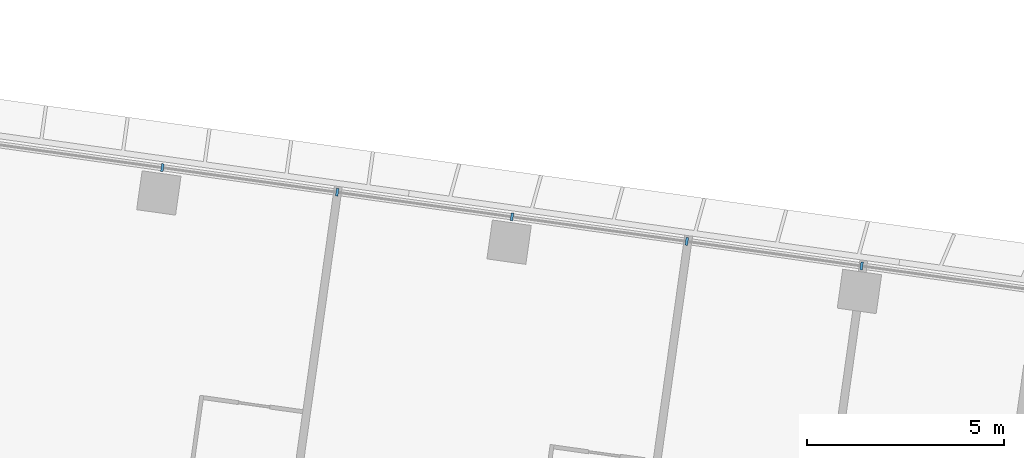
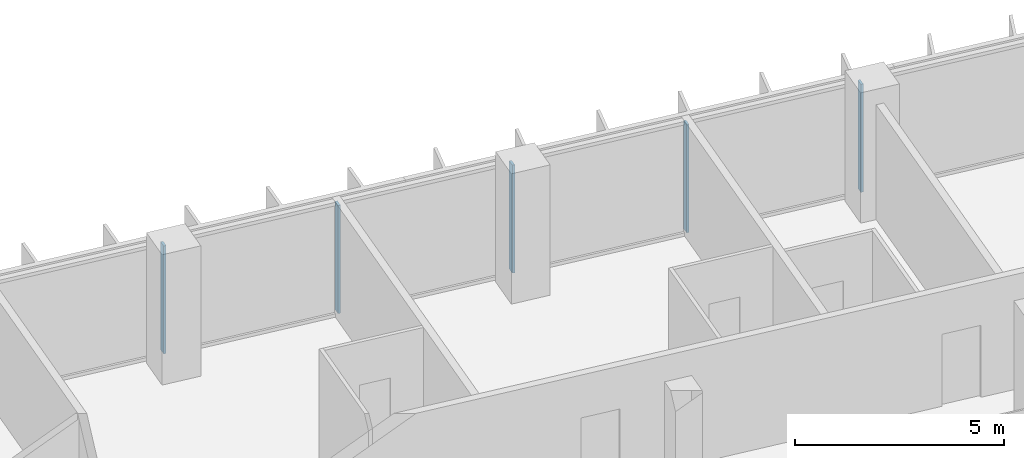
# One storey, part 5 of 25: 5 members, 1 element without a shape of its own.
"""IFC4 building model written with IfcOpenShell, lengths in metres."""

from ifc_helpers import new_model, si_unit, direction, frame, origin, origin_2d, place, context, subcontext, project, spatial, rectangle, extrude, material, material_profile, profile_set, type_object, element, aggregate, save


model = new_model("IFC4")

# Units and contexts
model_context = context("Model", 3, precision=1e-05, world=origin(), true_north=direction((0.0, 1.0)))
body_context = subcontext(model_context, "Body", "Model", "MODEL_VIEW")
ifc_project = project(units=[si_unit("LENGTHUNIT", "METRE"), si_unit("AREAUNIT", "SQUARE_METRE"), si_unit("VOLUMEUNIT", "CUBIC_METRE"), si_unit("PLANEANGLEUNIT", "RADIAN"), si_unit("MASSUNIT", "GRAM", prefix="KILO")], contexts=[model_context])

# Site, building, storey
site_placement = place(None, origin())
site = spatial("IfcSite", under=ifc_project, at=site_placement, CompositionType="ELEMENT")
building_placement = place(site_placement, origin())
building = spatial("IfcBuilding", under=site, at=building_placement, Name="Mirante Cascada Hotel Towers", CompositionType="ELEMENT")
storey_placement = place(building_placement, frame((0.0, 0.0, 69.9)))
storey = spatial("IfcBuildingStorey", under=building, at=storey_placement, Name="L14", CompositionType="ELEMENT", Elevation=69.9)

# Curtain wall, members
ifc_material_1 = material(Name="Aluminium mullion and transom frame with clear laminated glass", Category="aluminium")
curtain_wall_type = type_object("IfcCurtainWallType", Name="Ribbon curtain wall ECW1", PredefinedType="NOTDEFINED", material=ifc_material_1)
curtain_wall_placement = place(storey_placement, origin())
curtain_wall = element("IfcCurtainWall", 1, at=curtain_wall_placement, inside=storey, type_object=curtain_wall_type, Name="Front ribbon wall T1 L14", PredefinedType="NOTDEFINED")
ifc_material_2 = material(Name="Anodised aluminium extrusion", Category="aluminium")
ifc_material_profile = material_profile(ifc_material_2, rectangle(XDim=0.2, YDim=0.065, at=origin_2d()), Name="ECW1 MULLION 65x200")
ifc_profile_set = profile_set([ifc_material_profile], Name="Anodised aluminium extrusion")
member_type = type_object("IfcMemberType", Name="ECW1 mullion 65x200", PredefinedType="MULLION", material=ifc_profile_set)
member_1_placement = place(storey_placement, frame((-63.0262, 21.6768, 0.1), z_axis=(0.0, 0.0, 1.0), x_axis=(0.1391731, 0.9902681, 0.0)))
member_1 = element("IfcMember", 2, at=member_1_placement, type_object=member_type, Name="ECW1 mullion 8", PredefinedType="MULLION", context=body_context, shape_type="SweptSolid", body=[
    extrude(rectangle(XDim=0.2, YDim=0.065, at=origin_2d()), origin(), (0.0, 0.0, 1.0), 3.15),
])
member_2_placement = place(storey_placement, frame((-58.5788, 21.0517, 0.1), z_axis=(0.0, 0.0, 1.0), x_axis=(0.1391731, 0.9902681, 0.0)))
member_2 = element("IfcMember", 3, at=member_2_placement, type_object=member_type, Name="ECW1 mullion 9", PredefinedType="MULLION", context=body_context, shape_type="SweptSolid", body=[
    extrude(rectangle(XDim=0.2, YDim=0.065, at=origin_2d()), origin(), (0.0, 0.0, 1.0), 3.15),
])
member_3_placement = place(storey_placement, frame((-54.1314, 20.4267, 0.1), z_axis=(0.0, 0.0, 1.0), x_axis=(0.1391731, 0.9902681, 0.0)))
member_3 = element("IfcMember", 4, at=member_3_placement, type_object=member_type, Name="ECW1 mullion 10", PredefinedType="MULLION", context=body_context, shape_type="SweptSolid", body=[
    extrude(rectangle(XDim=0.2, YDim=0.065, at=origin_2d()), origin(), (0.0, 0.0, 1.0), 3.15),
])
member_4_placement = place(storey_placement, frame((-49.684, 19.8017, 0.1), z_axis=(0.0, 0.0, 1.0), x_axis=(0.1391731, 0.9902681, 0.0)))
member_4 = element("IfcMember", 5, at=member_4_placement, type_object=member_type, Name="ECW1 mullion 11", PredefinedType="MULLION", context=body_context, shape_type="SweptSolid", body=[
    extrude(rectangle(XDim=0.2, YDim=0.065, at=origin_2d()), origin(), (0.0, 0.0, 1.0), 3.15),
])
member_5_placement = place(storey_placement, frame((-45.2366, 19.1766, 0.1), z_axis=(0.0, 0.0, 1.0), x_axis=(0.1391731, 0.9902681, 0.0)))
member_5 = element("IfcMember", 6, at=member_5_placement, type_object=member_type, Name="ECW1 mullion 12", PredefinedType="MULLION", context=body_context, shape_type="SweptSolid", body=[
    extrude(rectangle(XDim=0.2, YDim=0.065, at=origin_2d()), origin(), (0.0, 0.0, 1.0), 3.15),
])
aggregate(curtain_wall, [member_1, member_2, member_3, member_4, member_5])

save(model, "model.ifc")
